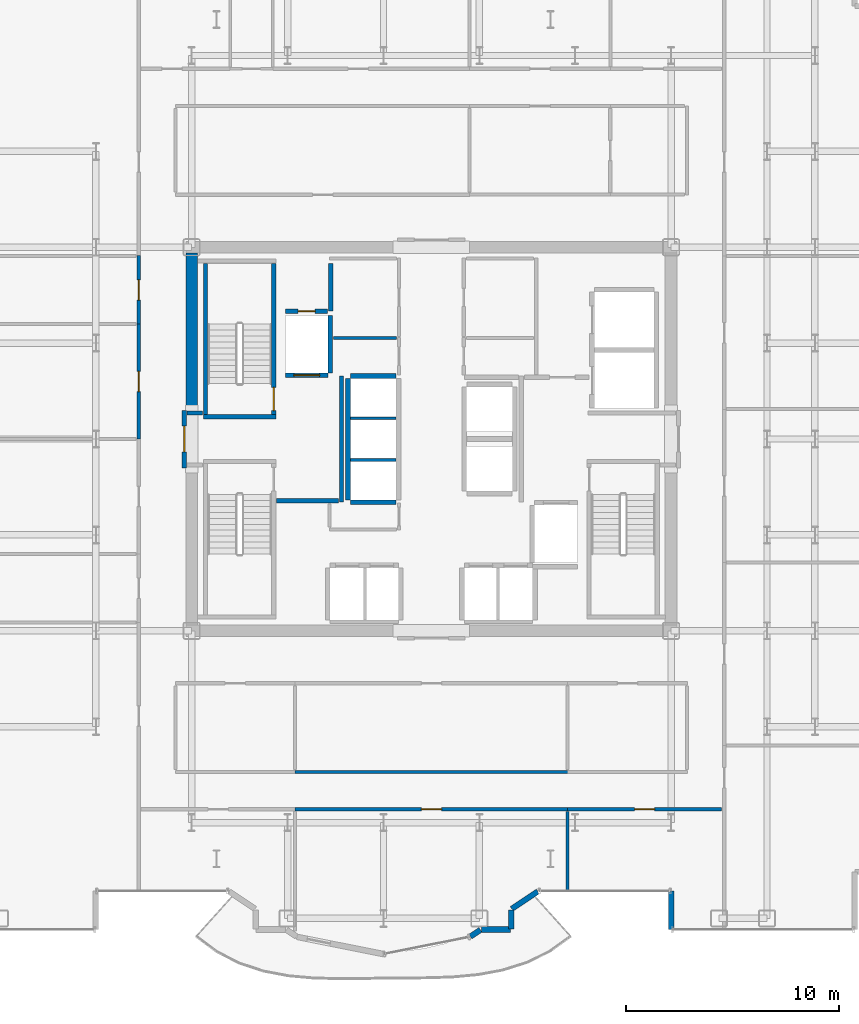
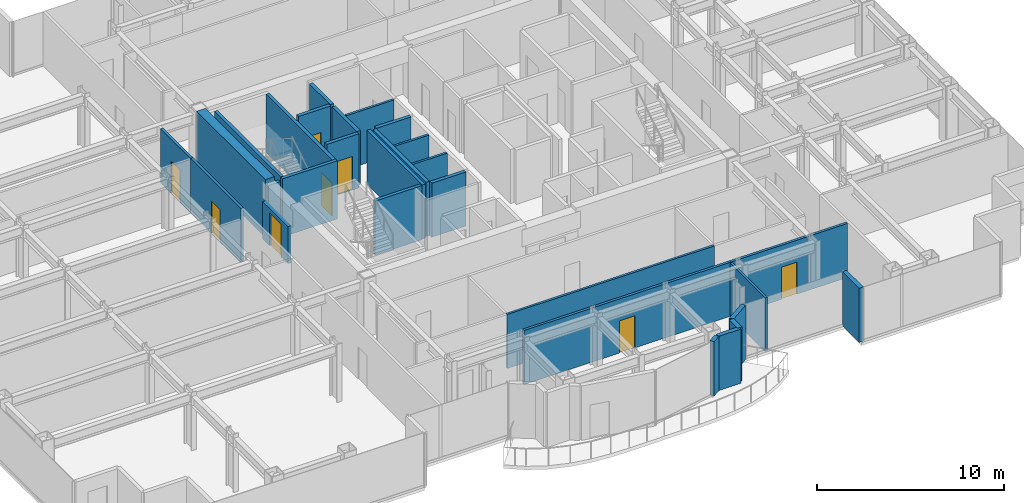
# One storey, part 16 of 22: 29 walls, 8 doors, 8 openings.
"""IFC4 building model written with IfcOpenShell, lengths in metres."""

import ifcopenshell
import ifcopenshell.guid

model = None  # the IFC model being written
_history = None  # IfcOwnerHistory: only IFC2X3 demands one
_inside = {}  # id of a spatial element -> (the spatial element, [elements in it])
_under = {}  # id of a project, library or spatial element -> (it, [spatial elements below it])
_declared = {}  # id of a project -> (the project, [libraries it declares])
_typed = {}  # id of a type object -> (the type object, [elements of that type])
_made_of = {}  # id of a material, layer set ... -> (it, [elements and type objects made of it])


def new_model(schema):
    """Start an empty IFC model of exactly this schema.

    Asked for "IFC4X3", IfcOpenShell would pick the latest addendum, in which some entities
    have other attributes; the version numbers below select the first issue.
    IFC2X3 requires an IfcOwnerHistory on every rooted entity: one is made here for all.
    """
    global model, _history
    if schema == "IFC4X3":
        model = ifcopenshell.file(schema_version=(4, 3, 0, 0))
    else:
        model = ifcopenshell.file(schema=schema)
    _inside.clear()
    _under.clear()
    _declared.clear()
    _typed.clear()
    _made_of.clear()
    _history = None
    if model.schema == "IFC2X3":
        org = make("IfcOrganization", Name="unknown")
        user = make(
            "IfcPersonAndOrganization",
            ThePerson=make("IfcPerson", FamilyName="unknown"),
            TheOrganization=org,
        )
        app = make(
            "IfcApplication",
            ApplicationDeveloper=org,
            Version="unknown",
            ApplicationFullName="unknown",
            ApplicationIdentifier="unknown",
        )
        _history = make(
            "IfcOwnerHistory",
            OwningUser=user,
            OwningApplication=app,
            ChangeAction="ADDED",
            CreationDate=0,
        )
    return model


def make(cls, **values):
    """One entity of the class cls with the attributes given. An attribute that is None is left unset."""
    return model.create_entity(
        cls, **{name: value for name, value in values.items() if value is not None}
    )


def rooted(cls, **values):
    """An entity with a GlobalId (a new one), such as an element, a storey or a relation."""
    return make(cls, GlobalId=ifcopenshell.guid.new(), OwnerHistory=_history, **values)


def si_unit(unit_type, name, prefix=None):
    """IfcSIUnit, for example si_unit("LENGTHUNIT", "METRE", prefix="MILLI")."""
    return make("IfcSIUnit", UnitType=unit_type, Prefix=prefix, Name=name)


def assignment(units):
    """IfcUnitAssignment: the units of a project."""
    return None if units is None else make("IfcUnitAssignment", Units=units)


def point(xyz):
    """IfcCartesianPoint."""
    return None if xyz is None else make("IfcCartesianPoint", Coordinates=xyz)


def direction(xyz):
    """IfcDirection."""
    return None if xyz is None else make("IfcDirection", DirectionRatios=xyz)


def frame(location, z_axis=None, x_axis=None):
    """IfcAxis2Placement3D, a coordinate frame: its origin and axes. An axis left out is left unset."""
    return make(
        "IfcAxis2Placement3D",
        Location=point(location),
        Axis=direction(z_axis),
        RefDirection=direction(x_axis),
    )


def frame_2d(location, x_axis=None):
    """IfcAxis2Placement2D, a coordinate frame in the plane: its origin and x axis."""
    return make(
        "IfcAxis2Placement2D", Location=point(location), RefDirection=direction(x_axis)
    )


def origin():
    """The frame at (0, 0, 0) with its axes left unset."""
    return frame((0.0, 0.0, 0.0))


def place(relative_to, where):
    """IfcLocalPlacement: puts the frame where relative to a parent placement (None: the world)."""
    return make(
        "IfcLocalPlacement", PlacementRelTo=relative_to, RelativePlacement=where
    )


def context(
    kind, dimensions, precision=None, world=None, true_north=None, identifier=None
):
    """IfcGeometricRepresentationContext, for example the 3D "Model" context."""
    return make(
        "IfcGeometricRepresentationContext",
        ContextIdentifier=identifier,
        ContextType=kind,
        CoordinateSpaceDimension=dimensions,
        Precision=precision,
        WorldCoordinateSystem=world,
        TrueNorth=true_north,
    )


def subcontext(parent, identifier, kind, view, scale=None):
    """IfcGeometricRepresentationSubContext, for example "Body" below "Model"."""
    return make(
        "IfcGeometricRepresentationSubContext",
        ContextIdentifier=identifier,
        ContextType=kind,
        ParentContext=parent,
        TargetScale=scale,
        TargetView=view,
    )


def project(units=None, contexts=None):
    """IfcProject with its units and contexts."""
    return rooted(
        "IfcProject",
        Name="project",
        RepresentationContexts=contexts,
        UnitsInContext=assignment(units),
    )


def spatial(cls, under=None, at=None, **own):
    """A site, building, storey or space (cls), placed at a placement, below another one or the project."""
    s = rooted(cls, ObjectPlacement=at, **own)
    if under is not None:
        _under.setdefault(under.id(), (under, []))[1].append(s)
    return s


def profile(cls, at=None, kind="AREA", **sizes):
    """A parametric profile (cls). Its sizes go by their IFC names, for example OverallWidth=200.0."""
    return make(cls, ProfileType=kind, Position=at, **sizes)


def rectangle(**sizes):
    """IfcRectangleProfileDef."""
    return profile("IfcRectangleProfileDef", **sizes)


def extrude(swept, where, along, depth):
    """IfcExtrudedAreaSolid: the profile swept, set in the frame where, extruded along a direction by depth."""
    return make(
        "IfcExtrudedAreaSolid",
        SweptArea=swept,
        Position=where,
        ExtrudedDirection=direction(along),
        Depth=depth,
    )


def shape(context_of_items, identifier, shape_type, items):
    """IfcShapeRepresentation: the items that make up one representation, for example the "Body"."""
    return make(
        "IfcShapeRepresentation",
        ContextOfItems=context_of_items,
        RepresentationIdentifier=identifier,
        RepresentationType=shape_type,
        Items=items,
    )


def source(mapping_origin, context_of_items, identifier, shape_type, items):
    """IfcRepresentationMap: a shape defined once, which mapped items show again and again."""
    return make(
        "IfcRepresentationMap",
        MappingOrigin=mapping_origin,
        MappedRepresentation=shape(context_of_items, identifier, shape_type, items),
    )


def transform(
    local_origin,
    x_axis=None,
    y_axis=None,
    z_axis=None,
    scale=None,
    scale2=None,
    scale3=None,
    uniform=True,
):
    """IfcCartesianTransformationOperator3D, or its non-uniform kind. x_axis, y_axis, z_axis: its Axis1, 2, 3."""
    if uniform:
        return make(
            "IfcCartesianTransformationOperator3D",
            Axis1=direction(x_axis),
            Axis2=direction(y_axis),
            LocalOrigin=point(local_origin),
            Scale=scale,
            Axis3=direction(z_axis),
        )
    return make(
        "IfcCartesianTransformationOperator3DnonUniform",
        Axis1=direction(x_axis),
        Axis2=direction(y_axis),
        LocalOrigin=point(local_origin),
        Scale=scale,
        Axis3=direction(z_axis),
        Scale2=scale2,
        Scale3=scale3,
    )


def mapped(mapping_source, mapping_target):
    """IfcMappedItem: shows the shape of a source again, moved by a transform."""
    return make(
        "IfcMappedItem", MappingSource=mapping_source, MappingTarget=mapping_target
    )


def material(Name=None, Category=None):
    """IfcMaterial."""
    return make("IfcMaterial", Name=Name, Category=Category)


def layer(
    of_material, thickness, ventilated=None, Name=None, Category=None, Priority=None
):
    """IfcMaterialLayer: one layer of a wall or slab, of a material (None: an air gap)."""
    return make(
        "IfcMaterialLayer",
        Material=of_material,
        LayerThickness=thickness,
        IsVentilated=ventilated,
        Name=Name,
        Category=Category,
        Priority=Priority,
    )


def layer_set(layers, Name=None):
    """IfcMaterialLayerSet."""
    return make("IfcMaterialLayerSet", MaterialLayers=layers, LayerSetName=Name)


def made_of(thing, what):
    """Note that an element or type object is made of a material, layer set ...; save() writes the relation."""
    if what is not None:
        _made_of.setdefault(what.id(), (what, []))[1].append(thing)
    return thing


def type_object(cls, material=None, **own):
    """A type object (cls), such as IfcWallType, which elements share."""
    return made_of(rooted(cls, **own), material)


def element(
    cls,
    number,
    at=None,
    inside=None,
    cuts=None,
    type_object=None,
    material=None,
    context=None,
    identifier="Body",
    shape_type=None,
    held_by="IfcProductDefinitionShape",
    body=None,
    shapes=None,
    **own,
):
    """One element of the class cls, such as IfcWall. Its Tag is "e" and its number.

    at: its placement. inside: the storey or other place that contains it. cuts: it is an
    opening in that element (IfcRelVoidsElement). A single representation is given by context,
    identifier, shape_type and body (its items); several are given by shapes. held_by: the class
    of the entity that holds the representations. save() writes the other relations.
    """
    e = rooted(cls, Tag="e%d" % number, ObjectPlacement=at, **own)
    if body is not None:
        shapes = [shape(context, identifier, shape_type, body)]
    if shapes is not None:
        e.Representation = make(held_by, Representations=shapes)
    if inside is not None:
        _inside.setdefault(inside.id(), (inside, []))[1].append(e)
    if cuts is not None:
        rooted(
            "IfcRelVoidsElement", RelatingBuildingElement=cuts, RelatedOpeningElement=e
        )
    if type_object is not None:
        _typed.setdefault(type_object.id(), (type_object, []))[1].append(e)
    return made_of(e, material)


def fill(opening, filler):
    """IfcRelFillsElement: the door or window that sits in an opening."""
    return rooted(
        "IfcRelFillsElement",
        RelatingOpeningElement=opening,
        RelatedBuildingElement=filler,
    )


def aggregate(whole, parts):
    """IfcRelAggregates: a whole, such as a stair, and the parts it consists of."""
    return rooted("IfcRelAggregates", RelatingObject=whole, RelatedObjects=parts)


def save(model, path):
    """Write the relations noted so far, then the file.

    IfcRelAggregates (storeys below a building ...), IfcRelContainedInSpatialStructure (elements
    in a storey), IfcRelDefinesByType, IfcRelAssociatesMaterial and IfcRelDeclares: one each for
    every whole, place, type object, material and project.
    """
    for whole, parts in _under.values():
        aggregate(whole, parts)
    for where, things in _inside.values():
        rooted(
            "IfcRelContainedInSpatialStructure",
            RelatedElements=things,
            RelatingStructure=where,
        )
    for kind, things in _typed.values():
        rooted("IfcRelDefinesByType", RelatedObjects=things, RelatingType=kind)
    for what, things in _made_of.values():
        rooted("IfcRelAssociatesMaterial", RelatedObjects=things, RelatingMaterial=what)
    for by, libraries in _declared.values():
        rooted("IfcRelDeclares", RelatingContext=by, RelatedDefinitions=libraries)
    model.write(path)


model = new_model("IFC4")

# Units and contexts
model_context = context("Model", 3, precision=1e-05, world=origin(), true_north=direction((0.0, 1.0)))
body_context = subcontext(model_context, "Body", "Model", "MODEL_VIEW")
ifc_project = project(units=[si_unit("LENGTHUNIT", "METRE"), si_unit("AREAUNIT", "SQUARE_METRE"), si_unit("VOLUMEUNIT", "CUBIC_METRE"), si_unit("PLANEANGLEUNIT", "RADIAN"), si_unit("MASSUNIT", "GRAM", prefix="KILO")], contexts=[model_context])

# Site, building, storey
site_placement = place(None, origin())
site = spatial("IfcSite", under=ifc_project, at=site_placement, CompositionType="ELEMENT")
building_placement = place(site_placement, origin())
building = spatial("IfcBuilding", under=site, at=building_placement, Name="Nefas-Gora Pilgrimage Tower", CompositionType="ELEMENT")
storey_placement = place(building_placement, frame((0.0, 0.0, 186.800048828125)))
storey = spatial("IfcBuildingStorey", under=building, at=storey_placement, Name="L46", CompositionType="ELEMENT", Elevation=186.800048828125)

# Walls
ifc_material_1 = material(Name="Concrete C60/75", Category="concrete")
ifc_layer_1 = layer(ifc_material_1, 0.550048828125)
ifc_layer_set_1 = layer_set([ifc_layer_1], Name="Concrete C60/75")
wall_type_1 = type_object("IfcWallType", Name="SW-CORE-550", PredefinedType="SHEAR", material=ifc_layer_set_1)
shared_shape_1 = source(origin(), body_context, "Body", "SweptSolid", [
    extrude(rectangle(XDim=7.375, YDim=0.550048828125, at=frame_2d((3.6875, 0.0))), origin(), (0.0, 0.0, 1.0), 3.800048828125),
])
wall_1_placement = place(storey_placement, frame((-11.25, 1.35009765625, 0.0), z_axis=(0.0, 0.0, 1.0), x_axis=(0.0, 1.0, 0.0)))
element("IfcWall", 1, at=wall_1_placement, inside=storey, type_object=wall_type_1, Name="L46 Core Shear Wall W-North", PredefinedType="SHEAR", context=body_context, shape_type="MappedRepresentation", body=[
    mapped(shared_shape_1, transform((0.0, 0.0, 0.0), x_axis=(1.0, 0.0, 0.0), y_axis=(0.0, 1.0, 0.0), z_axis=(0.0, 0.0, 1.0), scale=1.0)),
])
ifc_material_2 = material(Name="Precast concrete C40/50", Category="concrete")
ifc_layer_2 = layer(ifc_material_2, 0.260009765625)
ifc_layer_set_2 = layer_set([ifc_layer_2], Name="Precast concrete C40/50")
wall_type_2 = type_object("IfcWallType", Name="EW-PORTAL-260", PredefinedType="SOLIDWALL", material=ifc_layer_set_2)
shared_shape_2 = source(origin(), body_context, "Body", "SweptSolid", [
    extrude(rectangle(XDim=1.800048828125, YDim=0.260009765625, at=frame_2d((0.89990234375, 0.0))), origin(), (0.0, 0.0, 1.0), 3.550048828125),
])
wall_2_placement = place(storey_placement, frame((11.25, -21.219970703125, 0.0), z_axis=(0.0, 0.0, 1.0), x_axis=(0.0, -1.0, 0.0)))
element("IfcWall", 2, at=wall_2_placement, inside=storey, type_object=wall_type_2, Name="L46 Lobe Shoulder Precast Spandrel Pier 1", PredefinedType="SOLIDWALL", context=body_context, shape_type="MappedRepresentation", body=[
    mapped(shared_shape_2, transform((0.0, 0.0, 0.0), x_axis=(1.0, 0.0, 0.0), y_axis=(0.0, 1.0, 0.0), z_axis=(0.0, 0.0, 1.0), scale=1.0)),
])
shared_shape_3 = source(origin(), body_context, "Body", "SweptSolid", [
    extrude(rectangle(XDim=1.468994140625, YDim=0.260009765625, at=frame_2d((0.734375, 0.0))), origin(), (0.0, 0.0, 1.0), 3.550048828125),
])
wall_3_placement = place(storey_placement, frame((3.773193359375, -22.0517578125, 0.0), z_axis=(0.0, 0.0, 1.0), x_axis=(0.831461760506, 0.555581983884, 0.0)))
element("IfcWall", 3, at=wall_3_placement, inside=storey, type_object=wall_type_2, Name="L46 Lobe Shoulder Precast Spandrel Pier 38", PredefinedType="SOLIDWALL", context=body_context, shape_type="MappedRepresentation", body=[
    mapped(shared_shape_3, transform((0.0, 0.0, 0.0), x_axis=(1.0, 0.0, 0.0), y_axis=(0.0, 1.0, 0.0), z_axis=(0.0, 0.0, 1.0), scale=1.0)),
])
shared_shape_4 = source(origin(), body_context, "Body", "SweptSolid", [
    extrude(rectangle(XDim=0.896728515625, YDim=0.260009765625, at=frame_2d((0.4482421875, 0.0))), origin(), (0.0, 0.0, 1.0), 3.550048828125),
])
wall_4_placement = place(storey_placement, frame((3.75, -22.991943359375, 0.0), z_axis=(0.0, 0.0, 1.0), x_axis=(0.0, 1.0, 0.0)))
element("IfcWall", 4, at=wall_4_placement, inside=storey, type_object=wall_type_2, Name="L46 Lobe Shoulder Precast Spandrel Pier 37", PredefinedType="SOLIDWALL", context=body_context, shape_type="MappedRepresentation", body=[
    mapped(shared_shape_4, transform((0.0, 0.0, 0.0), x_axis=(1.0, 0.0, 0.0), y_axis=(0.0, 1.0, 0.0), z_axis=(0.0, 0.0, 1.0), scale=1.0)),
])
shared_shape_5 = source(origin(), body_context, "Body", "SweptSolid", [
    extrude(rectangle(XDim=1.369873046875, YDim=0.260009765625, at=frame_2d((0.68505859375, 0.0))), origin(), (0.0, 0.0, 1.0), 3.550048828125),
])
wall_5_placement = place(storey_placement, frame((2.35205078125, -23.02001953125, 0.0), z_axis=(0.0, 0.0, 1.0), x_axis=(1.0, 0.0, 0.0)))
element("IfcWall", 5, at=wall_5_placement, inside=storey, type_object=wall_type_2, Name="L46 Lobe Shoulder Precast Spandrel Pier 36", PredefinedType="SOLIDWALL", context=body_context, shape_type="MappedRepresentation", body=[
    mapped(shared_shape_5, transform((0.0, 0.0, 0.0), x_axis=(1.0, 0.0, 0.0), y_axis=(0.0, 1.0, 0.0), z_axis=(0.0, 0.0, 1.0), scale=1.0)),
])
shared_shape_6 = source(origin(), body_context, "Body", "SweptSolid", [
    extrude(rectangle(XDim=0.5654296875, YDim=0.260009765625, at=frame_2d((0.28271484375, 0.0))), origin(), (0.0, 0.0, 1.0), 3.550048828125),
])
wall_6_placement = place(storey_placement, frame((1.83056640625, -23.349609375, 0.0), z_axis=(0.0, 0.0, 1.0), x_axis=(0.831651492666, 0.555297933317, 0.0)))
element("IfcWall", 6, at=wall_6_placement, inside=storey, type_object=wall_type_2, Name="L46 Lobe Shoulder Precast Spandrel Pier 35", PredefinedType="SOLIDWALL", context=body_context, shape_type="MappedRepresentation", body=[
    mapped(shared_shape_6, transform((0.0, 0.0, 0.0), x_axis=(1.0, 0.0, 0.0), y_axis=(0.0, 1.0, 0.0), z_axis=(0.0, 0.0, 1.0), scale=1.0)),
])
ifc_material_3 = material(Name="Concrete C45/55", Category="concrete")
ifc_layer_3 = layer(ifc_material_3, 0.199951171875)
ifc_layer_set_3 = layer_set([ifc_layer_3], Name="Concrete C45/55")
wall_type_3 = type_object("IfcWallType", Name="IW-STAIR-200", PredefinedType="SOLIDWALL", material=ifc_layer_set_3)
shared_shape_7 = source(origin(), body_context, "Body", "SweptSolid", [
    extrude(rectangle(XDim=3.39990234375, YDim=0.199951171875, at=frame_2d((1.699951171875, 0.0))), origin(), (0.0, 0.0, 1.0), 3.800048828125),
])
wall_7_placement = place(storey_placement, frame((-7.300048828125, 1.050048828125, 0.0), z_axis=(0.0, 0.0, 1.0), x_axis=(-1.0, 0.0, 0.0)))
element("IfcWall", 7, at=wall_7_placement, inside=storey, type_object=wall_type_3, Name="L46 Stairwell Shear Wall ST-01-near", PredefinedType="SOLIDWALL", context=body_context, shape_type="MappedRepresentation", body=[
    mapped(shared_shape_7, transform((0.0, 0.0, 0.0), x_axis=(1.0, 0.0, 0.0), y_axis=(0.0, 1.0, 0.0), z_axis=(0.0, 0.0, 1.0), scale=1.0)),
])

# Wall, opening, door
shared_shape_8 = source(origin(), body_context, "Body", "SweptSolid", [
    extrude(rectangle(XDim=7.10009765625, YDim=0.199951171875, at=frame_2d((3.550048828125, 0.0))), origin(), (0.0, 0.0, 1.0), 3.800048828125),
])
wall_8_placement = place(storey_placement, frame((-7.39990234375, 1.14990234375, 0.0), z_axis=(0.0, 0.0, 1.0), x_axis=(0.0, 1.0, 0.0)))
wall_8 = element("IfcWall", 8, at=wall_8_placement, inside=storey, type_object=wall_type_3, Name="L46 Stairwell Shear Wall ST-01-left", PredefinedType="SOLIDWALL", context=body_context, shape_type="MappedRepresentation", body=[
    mapped(shared_shape_8, transform((0.0, 0.0, 0.0), x_axis=(1.0, 0.0, 0.0), y_axis=(0.0, 1.0, 0.0), z_axis=(0.0, 0.0, 1.0), scale=1.0)),
])
opening_1_placement = place(wall_8_placement, frame((0.179931640625, 0.0, 0.0)))
opening_1 = element("IfcOpeningElement", 9, at=opening_1_placement, cuts=wall_8, Name="Opening ID-ST1", PredefinedType="OPENING", context=body_context, shape_type="SweptSolid", body=[
    extrude(rectangle(XDim=1.10009765625, YDim=2.14990234375, at=frame_2d((0.550048828125, 1.074951171875))), frame((0.0, 0.10986328125, 0.0), z_axis=(0.0, -1.0, 0.0), x_axis=(1.0, 0.0, 0.0)), (0.0, 0.0, 1.0), 0.219970703125),
])
ifc_material_4 = material(Name="Painted galvanised steel fire stair door", Category="steel")
door_type_1 = type_object("IfcDoorType", Name="DR-INT-STAIR-1100", OperationType="NOTDEFINED", PredefinedType="DOOR", material=ifc_material_4)
shared_shape_9 = source(origin(), body_context, "Body", "SweptSolid", [
    extrude(rectangle(XDim=1.10009765625, YDim=2.14990234375, at=frame_2d((0.550048828125, 1.074951171875))), frame((0.0, 0.02490234375, 0.0), z_axis=(0.0, -1.0, 0.0), x_axis=(1.0, 0.0, 0.0)), (0.0, 0.0, 1.0), 0.050048828125),
])
door_1_placement = place(opening_1_placement, origin())
door_1 = element("IfcDoor", 10, at=door_1_placement, inside=storey, type_object=door_type_1, Name="L46 Protected Exit Stair Door ST-01", OperationType="SINGLE_SWING_RIGHT", OverallHeight=2.14990234375, OverallWidth=1.10009765625, PredefinedType="DOOR", context=body_context, shape_type="MappedRepresentation", body=[
    mapped(shared_shape_9, transform((0.0, 0.0, 0.0), x_axis=(1.0, 0.0, 0.0), y_axis=(0.0, 1.0, 0.0), z_axis=(0.0, 0.0, 1.0), scale=1.0)),
])
fill(opening_1, door_1)

# Wall
wall_9_placement = place(storey_placement, frame((-10.60009765625, 1.14990234375, 0.0), z_axis=(0.0, 0.0, 1.0), x_axis=(0.0, 1.0, 0.0)))
element("IfcWall", 11, at=wall_9_placement, inside=storey, type_object=wall_type_3, Name="L46 Stairwell Shear Wall ST-01-right", PredefinedType="SOLIDWALL", context=body_context, shape_type="MappedRepresentation", body=[
    mapped(shared_shape_8, transform((0.0, 0.0, 0.0), x_axis=(1.0, 0.0, 0.0), y_axis=(0.0, 1.0, 0.0), z_axis=(0.0, 0.0, 1.0), scale=1.0)),
])

# Wall, opening, door
ifc_material_5 = material(Name="Concrete C40/50", Category="concrete")
ifc_layer_4 = layer(ifc_material_5, 0.219970703125)
ifc_layer_set_4 = layer_set([ifc_layer_4], Name="Concrete C40/50")
wall_type_4 = type_object("IfcWallType", Name="IW-SHAFT-220", PredefinedType="SOLIDWALL", material=ifc_layer_set_4)
shared_shape_10 = source(origin(), body_context, "Body", "SweptSolid", [
    extrude(rectangle(XDim=2.0, YDim=0.219970703125, at=frame_2d((1.0, 0.0))), origin(), (0.0, 0.0, 1.0), 3.534912109375),
])
wall_10_placement = place(storey_placement, frame((-6.85009765625, 2.989990234375, 0.0), z_axis=(0.0, 0.0, 1.0), x_axis=(1.0, 0.0, 0.0)))
wall_10 = element("IfcWall", 12, at=wall_10_placement, inside=storey, type_object=wall_type_4, Name="L46 Hoistway Wall FFL-01-S", PredefinedType="SOLIDWALL", context=body_context, shape_type="MappedRepresentation", body=[
    mapped(shared_shape_10, transform((0.0, 0.0, 0.0), x_axis=(1.0, 0.0, 0.0), y_axis=(0.0, 1.0, 0.0), z_axis=(0.0, 0.0, 1.0), scale=1.0)),
])
opening_2_placement = place(wall_10_placement, frame((0.39990234375, 0.0, 0.0)))
opening_2 = element("IfcOpeningElement", 13, at=opening_2_placement, cuts=wall_10, Name="Opening LD-FF", PredefinedType="OPENING", context=body_context, shape_type="SweptSolid", body=[
    extrude(rectangle(XDim=1.199951171875, YDim=2.199951171875, at=frame_2d((0.60009765625, 1.10009765625))), frame((0.0, 0.119873046875, 0.0), z_axis=(0.0, -1.0, 0.0), x_axis=(1.0, 0.0, 0.0)), (0.0, 0.0, 1.0), 0.239990234375),
])
ifc_material_6 = material(Name="Fire-service sliding lift landing door")
door_type_2 = type_object("IfcDoorType", Name="DR-LIFT-FSAE-1200", OperationType="SLIDING_TO_LEFT", PredefinedType="DOOR", material=ifc_material_6)
shared_shape_11 = source(origin(), body_context, "Body", "SweptSolid", [
    extrude(rectangle(XDim=1.199951171875, YDim=2.199951171875, at=frame_2d((0.60009765625, 1.10009765625))), frame((0.0, 0.02490234375, 0.0), z_axis=(0.0, -1.0, 0.0), x_axis=(1.0, 0.0, 0.0)), (0.0, 0.0, 1.0), 0.050048828125),
])
door_2_placement = place(opening_2_placement, origin())
door_2 = element("IfcDoor", 14, at=door_2_placement, inside=storey, type_object=door_type_2, Name="L46 Sliding Lift Landing Door FFL-01", OperationType="SLIDING_TO_LEFT", OverallHeight=2.199951171875, OverallWidth=1.199951171875, PredefinedType="DOOR", context=body_context, shape_type="MappedRepresentation", body=[
    mapped(shared_shape_11, transform((0.0, 0.0, 0.0), x_axis=(1.0, 0.0, 0.0), y_axis=(0.0, 1.0, 0.0), z_axis=(0.0, 0.0, 1.0), scale=1.0)),
])
fill(opening_2, door_2)

# Walls
shared_shape_12 = source(origin(), body_context, "Body", "SweptSolid", [
    extrude(rectangle(XDim=2.679931640625, YDim=0.219970703125, at=frame_2d((1.33984375, 0.0))), origin(), (0.0, 0.0, 1.0), 3.534912109375),
])
wall_11_placement = place(storey_placement, frame((-4.739990234375, 3.110107421875, 0.0), z_axis=(0.0, 0.0, 1.0), x_axis=(0.0, 1.0, 0.0)))
element("IfcWall", 15, at=wall_11_placement, inside=storey, type_object=wall_type_4, Name="L46 Hoistway Wall FFL-01-E", PredefinedType="SOLIDWALL", context=body_context, shape_type="MappedRepresentation", body=[
    mapped(shared_shape_12, transform((0.0, 0.0, 0.0), x_axis=(1.0, 0.0, 0.0), y_axis=(0.0, 1.0, 0.0), z_axis=(0.0, 0.0, 1.0), scale=1.0)),
])
shared_shape_13 = source(origin(), body_context, "Body", "SweptSolid", [
    extrude(rectangle(XDim=5.7001953125, YDim=0.219970703125, at=frame_2d((2.85009765625, 0.0))), origin(), (0.0, 0.0, 1.0), 3.534912109375),
])
wall_12_placement = place(storey_placement, frame((-3.909912109375, 2.85009765625, 0.0), z_axis=(0.0, 0.0, 1.0), x_axis=(0.0, -1.0, 0.0)))
element("IfcWall", 16, at=wall_12_placement, inside=storey, type_object=wall_type_4, Name="L46 Hoistway Wall PL3-01-03-W", PredefinedType="SOLIDWALL", context=body_context, shape_type="MappedRepresentation", body=[
    mapped(shared_shape_13, transform((0.0, 0.0, 0.0), x_axis=(1.0, 0.0, 0.0), y_axis=(0.0, 1.0, 0.0), z_axis=(0.0, 0.0, 1.0), scale=1.0)),
])
shared_shape_14 = source(origin(), body_context, "Body", "SweptSolid", [
    extrude(rectangle(XDim=2.130126953125, YDim=0.219970703125, at=frame_2d((1.06494140625, 0.0))), origin(), (0.0, 0.0, 1.0), 3.534912109375),
])
for number, where, z_axis, x_axis, name in (
    (17, (-3.7900390625, -2.9599609375, 0.0), (0.0, 0.0, 1.0), (1.0, 0.0, 0.0), "L46 Hoistway Wall PL3-01-S"),
    (18, (-1.659912109375, 2.9599609375, 0.0), (0.0, 0.0, 1.0), (-1.0, 0.0, 0.0), "L46 Hoistway Wall PL3-03-N"),
):
    element("IfcWall", number, at=place(storey_placement, frame(where, z_axis=z_axis, x_axis=x_axis)), inside=storey, type_object=wall_type_4, Name=name, PredefinedType="SOLIDWALL", context=body_context, shape_type="MappedRepresentation", body=[
        mapped(shared_shape_14, transform((0.0, 0.0, 0.0), x_axis=(1.0, 0.0, 0.0), y_axis=(0.0, 1.0, 0.0), z_axis=(0.0, 0.0, 1.0), scale=1.0)),
    ])
ifc_material_7 = material(Name="Gypsum twin-stud partition")
ifc_layer_5 = layer(ifc_material_7, 0.139892578125)
ifc_layer_set_5 = layer_set([ifc_layer_5], Name="Gypsum twin-stud partition")
wall_type_5 = type_object("IfcWallType", Name="IW-UNIT-140", PredefinedType="PARTITIONING", material=ifc_layer_set_5)
shared_shape_15 = source(origin(), body_context, "Body", "SweptSolid", [
    extrude(rectangle(XDim=2.130126953125, YDim=0.139892578125, at=frame_2d((1.06494140625, 0.0))), origin(), (0.0, 0.0, 1.0), 3.534912109375),
])
for number, where, z_axis, x_axis, name in (
    (19, (-3.7900390625, -0.97509765625, 0.0), (0.0, 0.0, 1.0), (1.0, 0.0, 0.0), "L46 Hoistway Wall PL3-01-02-DIV"),
    (20, (-3.7900390625, 0.97509765625, 0.0), (0.0, 0.0, 1.0), (1.0, 0.0, 0.0), "L46 Hoistway Wall PL3-02-03-DIV"),
):
    element("IfcWall", number, at=place(storey_placement, frame(where, z_axis=z_axis, x_axis=x_axis)), inside=storey, type_object=wall_type_5, Name=name, PredefinedType="PARTITIONING", context=body_context, shape_type="MappedRepresentation", body=[
        mapped(shared_shape_15, transform((0.0, 0.0, 0.0), x_axis=(1.0, 0.0, 0.0), y_axis=(0.0, 1.0, 0.0), z_axis=(0.0, 0.0, 1.0), scale=1.0)),
    ])

# Wall, opening, door
ifc_material_8 = material(Name="Gypsum fire-rated shaftwall")
ifc_layer_6 = layer(ifc_material_8, 0.199951171875)
ifc_layer_set_6 = layer_set([ifc_layer_6], Name="Gypsum fire-rated shaftwall")
wall_type_6 = type_object("IfcWallType", Name="IW-FFLOB-200", PredefinedType="PARTITIONING", material=ifc_layer_set_6)
shared_shape_16 = source(origin(), body_context, "Body", "SweptSolid", [
    extrude(rectangle(XDim=2.7001953125, YDim=0.199951171875, at=frame_2d((1.35009765625, 0.0))), origin(), (0.0, 0.0, 1.0), 2.425048828125),
])
wall_13_placement = place(storey_placement, frame((-11.60009765625, -1.35009765625, 0.0), z_axis=(0.0, 0.0, 1.0), x_axis=(0.0, 1.0, 0.0)))
wall_13 = element("IfcWall", 21, at=wall_13_placement, inside=storey, type_object=wall_type_6, Name="L46 FF Lobby West Portal Wall 4", PredefinedType="PARTITIONING", context=body_context, shape_type="MappedRepresentation", body=[
    mapped(shared_shape_16, transform((0.0, 0.0, 0.0), x_axis=(1.0, 0.0, 0.0), y_axis=(0.0, 1.0, 0.0), z_axis=(0.0, 0.0, 1.0), scale=1.0)),
])
opening_3_placement = place(wall_13_placement, frame((0.75, 0.0, 0.0)))
opening_3 = element("IfcOpeningElement", 22, at=opening_3_placement, cuts=wall_13, Name="Opening ID-FF1", PredefinedType="OPENING", context=body_context, shape_type="SweptSolid", body=[
    extrude(rectangle(XDim=1.199951171875, YDim=2.14990234375, at=frame_2d((0.60009765625, 1.074951171875))), frame((0.0, 0.10986328125, 0.0), z_axis=(0.0, -1.0, 0.0), x_axis=(1.0, 0.0, 0.0)), (0.0, 0.0, 1.0), 0.219970703125),
])
ifc_material_9 = material(Name="Smoke-sealed steel firefighting lobby door", Category="steel")
door_type_3 = type_object("IfcDoorType", Name="DR-INT-FFLOB-1200", OperationType="NOTDEFINED", PredefinedType="DOOR", material=ifc_material_9)
shared_shape_17 = source(origin(), body_context, "Body", "SweptSolid", [
    extrude(rectangle(XDim=1.199951171875, YDim=2.14990234375, at=frame_2d((0.60009765625, 1.074951171875))), frame((0.0, 0.02490234375, 0.0), z_axis=(0.0, -1.0, 0.0), x_axis=(1.0, 0.0, 0.0)), (0.0, 0.0, 1.0), 0.050048828125),
])
door_3_placement = place(opening_3_placement, origin())
door_3 = element("IfcDoor", 23, at=door_3_placement, inside=storey, type_object=door_type_3, Name="L46 FF Lobby West Portal Door 2", OperationType="SINGLE_SWING_LEFT", OverallHeight=2.14990234375, OverallWidth=1.199951171875, PredefinedType="DOOR", context=body_context, shape_type="MappedRepresentation", body=[
    mapped(shared_shape_17, transform((0.0, 0.0, 0.0), x_axis=(1.0, 0.0, 0.0), y_axis=(0.0, 1.0, 0.0), z_axis=(0.0, 0.0, 1.0), scale=1.0)),
])
fill(opening_3, door_3)

# Walls
shared_shape_18 = source(origin(), body_context, "Body", "SweptSolid", [
    extrude(rectangle(XDim=5.89990234375, YDim=0.199951171875, at=frame_2d((2.949951171875, 0.0))), origin(), (0.0, 0.0, 1.0), 3.534912109375),
])
wall_14_placement = place(storey_placement, frame((-4.219970703125, -2.949951171875, 0.0), z_axis=(0.0, 0.0, 1.0), x_axis=(0.0, 1.0, 0.0)))
element("IfcWall", 24, at=wall_14_placement, inside=storey, type_object=wall_type_6, Name="L46 FF Lobby West Inner Wall Wall 5", PredefinedType="PARTITIONING", context=body_context, shape_type="MappedRepresentation", body=[
    mapped(shared_shape_18, transform((0.0, 0.0, 0.0), x_axis=(1.0, 0.0, 0.0), y_axis=(0.0, 1.0, 0.0), z_axis=(0.0, 0.0, 1.0), scale=1.0)),
])
shared_shape_19 = source(origin(), body_context, "Body", "SweptSolid", [
    extrude(rectangle(XDim=2.89990234375, YDim=0.199951171875, at=frame_2d((1.449951171875, 0.0))), origin(), (0.0, 0.0, 1.0), 3.534912109375),
])
wall_15_placement = place(storey_placement, frame((-7.260009765625, -2.89990234375, 0.0), z_axis=(0.0, 0.0, 1.0), x_axis=(1.0, 0.0, 0.0)))
element("IfcWall", 25, at=wall_15_placement, inside=storey, type_object=wall_type_6, Name="L46 FF Lobby West South Wall Wall 6", PredefinedType="PARTITIONING", context=body_context, shape_type="MappedRepresentation", body=[
    mapped(shared_shape_19, transform((0.0, 0.0, 0.0), x_axis=(1.0, 0.0, 0.0), y_axis=(0.0, 1.0, 0.0), z_axis=(0.0, 0.0, 1.0), scale=1.0)),
])
shared_shape_20 = source(origin(), body_context, "Body", "SweptSolid", [
    extrude(rectangle(XDim=0.719970703125, YDim=0.199951171875, at=frame_2d((0.35986328125, 0.0))), origin(), (0.0, 0.0, 1.0), 3.534912109375),
])
wall_16_placement = place(storey_placement, frame((-11.4599609375, 1.219970703125, 0.0), z_axis=(0.0, 0.0, 1.0), x_axis=(1.0, 0.0, 0.0)))
element("IfcWall", 26, at=wall_16_placement, inside=storey, type_object=wall_type_6, Name="L46 FF Lobby West Throat N Wall 7", PredefinedType="PARTITIONING", context=body_context, shape_type="MappedRepresentation", body=[
    mapped(shared_shape_20, transform((0.0, 0.0, 0.0), x_axis=(1.0, 0.0, 0.0), y_axis=(0.0, 1.0, 0.0), z_axis=(0.0, 0.0, 1.0), scale=1.0)),
])
shared_shape_21 = source(origin(), body_context, "Body", "SweptSolid", [
    extrude(rectangle(XDim=2.9501953125, YDim=0.139892578125, at=frame_2d((1.47509765625, 0.0))), origin(), (0.0, 0.0, 1.0), 3.534912109375),
])
wall_17_placement = place(storey_placement, frame((-4.590087890625, 4.75, 0.0), z_axis=(0.0, 0.0, 1.0), x_axis=(1.0, 0.0, 0.0)))
element("IfcWall", 27, at=wall_17_placement, inside=storey, type_object=wall_type_5, Name="L46 Housekeeping and Linen Store Partition Wall 19", PredefinedType="PARTITIONING", context=body_context, shape_type="MappedRepresentation", body=[
    mapped(shared_shape_21, transform((0.0, 0.0, 0.0), x_axis=(1.0, 0.0, 0.0), y_axis=(0.0, 1.0, 0.0), z_axis=(0.0, 0.0, 1.0), scale=1.0)),
])

# Wall, opening, door
ifc_material_10 = material(Name="Gypsum acoustic stud partition")
ifc_layer_7 = layer(ifc_material_10, 0.159912109375)
ifc_layer_set_7 = layer_set([ifc_layer_7], Name="Gypsum acoustic stud partition")
wall_type_7 = type_object("IfcWallType", Name="IW-CORR-160", PredefinedType="PARTITIONING", material=ifc_layer_set_7)
shared_shape_22 = source(origin(), body_context, "Body", "SweptSolid", [
    extrude(rectangle(XDim=3.2099609375, YDim=0.159912109375, at=frame_2d((1.60498046875, 0.0))), origin(), (0.0, 0.0, 1.0), 3.534912109375),
])
wall_18_placement = place(storey_placement, frame((-13.739990234375, 5.39501953125, 0.0), z_axis=(0.0, 0.0, 1.0), x_axis=(0.0, 1.0, 0.0)))
wall_18 = element("IfcWall", 28, at=wall_18_placement, inside=storey, type_object=wall_type_7, Name="L46 Pilgrim Fellowship Seminar Room Partition Wall 40", PredefinedType="PARTITIONING", context=body_context, shape_type="MappedRepresentation", body=[
    mapped(shared_shape_22, transform((0.0, 0.0, 0.0), x_axis=(1.0, 0.0, 0.0), y_axis=(0.0, 1.0, 0.0), z_axis=(0.0, 0.0, 1.0), scale=1.0)),
])
opening_4_placement = place(wall_18_placement, frame((1.1298828125, 0.0, 0.0)))
opening_4 = element("IfcOpeningElement", 29, at=opening_4_placement, cuts=wall_18, Name="Opening ID-GR1", PredefinedType="OPENING", context=body_context, shape_type="SweptSolid", body=[
    extrude(rectangle(XDim=0.949951171875, YDim=2.10009765625, at=frame_2d((0.47509765625, 1.050048828125))), frame((0.0, 0.08984375, 0.0), z_axis=(0.0, -1.0, 0.0), x_axis=(1.0, 0.0, 0.0)), (0.0, 0.0, 1.0), 0.179931640625),
])
ifc_material_11 = material(Name="Solid core oak fire-rated guest entrance door")
door_type_4 = type_object("IfcDoorType", Name="DR-INT-GUEST-950", OperationType="NOTDEFINED", PredefinedType="DOOR", material=ifc_material_11)
shared_shape_23 = source(origin(), body_context, "Body", "SweptSolid", [
    extrude(rectangle(XDim=0.949951171875, YDim=2.10009765625, at=frame_2d((0.47509765625, 1.050048828125))), frame((0.0, 0.02490234375, 0.0), z_axis=(0.0, -1.0, 0.0), x_axis=(1.0, 0.0, 0.0)), (0.0, 0.0, 1.0), 0.050048828125),
])
door_4_placement = place(opening_4_placement, origin())
door_4 = element("IfcDoor", 30, at=door_4_placement, inside=storey, type_object=door_type_4, Name="L46 Pilgrim Fellowship Seminar Room Door 17", OperationType="SINGLE_SWING_RIGHT", OverallHeight=2.10009765625, OverallWidth=0.949951171875, PredefinedType="DOOR", context=body_context, shape_type="MappedRepresentation", body=[
    mapped(shared_shape_23, transform((0.0, 0.0, 0.0), x_axis=(1.0, 0.0, 0.0), y_axis=(0.0, 1.0, 0.0), z_axis=(0.0, 0.0, 1.0), scale=1.0)),
])
fill(opening_4, door_4)

shared_shape_24 = source(origin(), body_context, "Body", "SweptSolid", [
    extrude(rectangle(XDim=7.22509765625, YDim=0.159912109375, at=frame_2d((3.612548828125, 0.0))), origin(), (0.0, 0.0, 1.0), 3.534912109375),
])
wall_19_placement = place(storey_placement, frame((6.39501953125, -17.3701171875, 0.0), z_axis=(0.0, 0.0, 1.0), x_axis=(1.0, 0.0, 0.0)))
wall_19 = element("IfcWall", 31, at=wall_19_placement, inside=storey, type_object=wall_type_7, Name="L46 Pilgrim Contemplative Lounge Partition Wall 79", PredefinedType="PARTITIONING", context=body_context, shape_type="MappedRepresentation", body=[
    mapped(shared_shape_24, transform((0.0, 0.0, 0.0), x_axis=(1.0, 0.0, 0.0), y_axis=(0.0, 1.0, 0.0), z_axis=(0.0, 0.0, 1.0), scale=1.0)),
])
opening_5_placement = place(wall_19_placement, frame((3.137451171875, 0.0, 0.0)))
opening_5 = element("IfcOpeningElement", 32, at=opening_5_placement, cuts=wall_19, Name="Opening ID-GR1", PredefinedType="OPENING", context=body_context, shape_type="SweptSolid", body=[
    extrude(rectangle(XDim=0.949951171875, YDim=2.10009765625, at=frame_2d((0.47509765625, 1.050048828125))), frame((0.0, 0.08984375, 0.0), z_axis=(0.0, -1.0, 0.0), x_axis=(1.0, 0.0, 0.0)), (0.0, 0.0, 1.0), 0.179931640625),
])
door_5_placement = place(opening_5_placement, origin())
door_5 = element("IfcDoor", 33, at=door_5_placement, inside=storey, type_object=door_type_4, Name="L46 Pilgrim Contemplative Lounge Door 35", OperationType="SINGLE_SWING_RIGHT", OverallHeight=2.10009765625, OverallWidth=0.949951171875, PredefinedType="DOOR", context=body_context, shape_type="MappedRepresentation", body=[
    mapped(shared_shape_23, transform((0.0, 0.0, 0.0), x_axis=(1.0, 0.0, 0.0), y_axis=(0.0, 1.0, 0.0), z_axis=(0.0, 0.0, 1.0), scale=1.0)),
])
fill(opening_5, door_5)

# Walls
shared_shape_25 = source(origin(), body_context, "Body", "SweptSolid", [
    extrude(rectangle(XDim=3.75, YDim=0.139892578125, at=frame_2d((1.875, 0.0))), origin(), (0.0, 0.0, 1.0), 3.534912109375),
])
wall_20_placement = place(storey_placement, frame((6.39501953125, -21.239990234375, 0.0), z_axis=(0.0, 0.0, 1.0), x_axis=(0.0, 1.0, 0.0)))
element("IfcWall", 34, at=wall_20_placement, inside=storey, type_object=wall_type_5, Name="L46 Pilgrim Contemplative Lounge Partition Wall 75", PredefinedType="PARTITIONING", context=body_context, shape_type="MappedRepresentation", body=[
    mapped(shared_shape_25, transform((0.0, 0.0, 0.0), x_axis=(1.0, 0.0, 0.0), y_axis=(0.0, 1.0, 0.0), z_axis=(0.0, 0.0, 1.0), scale=1.0)),
])
shared_shape_26 = source(origin(), body_context, "Body", "SweptSolid", [
    extrude(rectangle(XDim=2.25, YDim=0.219970703125, at=frame_2d((1.125, 0.0))), origin(), (0.0, 0.0, 1.0), 3.534912109375),
])
wall_21_placement = place(storey_placement, frame((-4.719970703125, 6.0, 0.0), z_axis=(0.0, 0.0, 1.0), x_axis=(0.0, 1.0, 0.0)))
element("IfcWall", 35, at=wall_21_placement, inside=storey, type_object=wall_type_4, Name="L46 Riser Shaft Wall 1", PredefinedType="SOLIDWALL", context=body_context, shape_type="MappedRepresentation", body=[
    mapped(shared_shape_26, transform((0.0, 0.0, 0.0), x_axis=(1.0, 0.0, 0.0), y_axis=(0.0, 1.0, 0.0), z_axis=(0.0, 0.0, 1.0), scale=1.0)),
])

# Wall, opening, door
shared_shape_27 = source(origin(), body_context, "Body", "SweptSolid", [
    extrude(rectangle(XDim=1.97998046875, YDim=0.219970703125, at=frame_2d((0.989990234375, 0.0))), origin(), (0.0, 0.0, 1.0), 3.534912109375),
])
wall_22_placement = place(storey_placement, frame((-6.85009765625, 6.0, 0.0), z_axis=(0.0, 0.0, 1.0), x_axis=(1.0, 0.0, 0.0)))
wall_22 = element("IfcWall", 36, at=wall_22_placement, inside=storey, type_object=wall_type_4, Name="L46 Riser Shaft Wall 2", PredefinedType="SOLIDWALL", context=body_context, shape_type="MappedRepresentation", body=[
    mapped(shared_shape_27, transform((0.0, 0.0, 0.0), x_axis=(1.0, 0.0, 0.0), y_axis=(0.0, 1.0, 0.0), z_axis=(0.0, 0.0, 1.0), scale=1.0)),
])
opening_6_placement = place(wall_22_placement, frame((0.590087890625, 0.0, 0.0)))
opening_6 = element("IfcOpeningElement", 37, at=opening_6_placement, cuts=wall_22, Name="Opening ID-TR1", PredefinedType="OPENING", context=body_context, shape_type="SweptSolid", body=[
    extrude(rectangle(XDim=0.800048828125, YDim=2.0, at=frame_2d((0.39990234375, 1.0))), frame((0.0, 0.119873046875, 0.0), z_axis=(0.0, -1.0, 0.0), x_axis=(1.0, 0.0, 0.0)), (0.0, 0.0, 1.0), 0.239990234375),
])
ifc_material_12 = material(Name="Riser maintenance fire access door")
door_type_5 = type_object("IfcDoorType", Name="DR-INT-TRAP-800", OperationType="NOTDEFINED", PredefinedType="TRAPDOOR", material=ifc_material_12)
shared_shape_28 = source(origin(), body_context, "Body", "SweptSolid", [
    extrude(rectangle(XDim=0.800048828125, YDim=2.0, at=frame_2d((0.39990234375, 1.0))), frame((0.0, 0.02490234375, 0.0), z_axis=(0.0, -1.0, 0.0), x_axis=(1.0, 0.0, 0.0)), (0.0, 0.0, 1.0), 0.050048828125),
])
door_6_placement = place(opening_6_placement, origin())
door_6 = element("IfcDoor", 38, at=door_6_placement, inside=storey, type_object=door_type_5, Name="L46 Riser Shaft Door 1", OperationType="SINGLE_SWING_RIGHT", OverallHeight=2.0, OverallWidth=0.800048828125, PredefinedType="TRAPDOOR", context=body_context, shape_type="MappedRepresentation", body=[
    mapped(shared_shape_28, transform((0.0, 0.0, 0.0), x_axis=(1.0, 0.0, 0.0), y_axis=(0.0, 1.0, 0.0), z_axis=(0.0, 0.0, 1.0), scale=1.0)),
])
fill(opening_6, door_6)

shared_shape_29 = source(origin(), body_context, "Body", "SweptSolid", [
    extrude(rectangle(XDim=5.409912109375, YDim=0.159912109375, at=frame_2d((2.705078125, 0.0))), origin(), (0.0, 0.0, 1.0), 3.534912109375),
])
wall_23_placement = place(storey_placement, frame((-13.739990234375, -0.0048828125, 0.0), z_axis=(0.0, 0.0, 1.0), x_axis=(0.0, 1.0, 0.0)))
wall_23 = element("IfcWall", 39, at=wall_23_placement, inside=storey, type_object=wall_type_7, Name="L46 Pilgrim Tea and Beverage Pantry Partition Wall 38", PredefinedType="PARTITIONING", context=body_context, shape_type="MappedRepresentation", body=[
    mapped(shared_shape_29, transform((0.0, 0.0, 0.0), x_axis=(1.0, 0.0, 0.0), y_axis=(0.0, 1.0, 0.0), z_axis=(0.0, 0.0, 1.0), scale=1.0)),
])
opening_7_placement = place(wall_23_placement, frame((2.22998046875, 0.0, 0.0)))
opening_7 = element("IfcOpeningElement", 40, at=opening_7_placement, cuts=wall_23, Name="Opening ID-GR1", PredefinedType="OPENING", context=body_context, shape_type="SweptSolid", body=[
    extrude(rectangle(XDim=0.949951171875, YDim=2.10009765625, at=frame_2d((0.47509765625, 1.050048828125))), frame((0.0, 0.08984375, 0.0), z_axis=(0.0, -1.0, 0.0), x_axis=(1.0, 0.0, 0.0)), (0.0, 0.0, 1.0), 0.179931640625),
])
door_7_placement = place(opening_7_placement, origin())
door_7 = element("IfcDoor", 41, at=door_7_placement, inside=storey, type_object=door_type_4, Name="L46 Pilgrim Tea and Beverage Pantry Door 16", OperationType="SINGLE_SWING_LEFT", OverallHeight=2.10009765625, OverallWidth=0.949951171875, PredefinedType="DOOR", context=body_context, shape_type="MappedRepresentation", body=[
    mapped(shared_shape_23, transform((0.0, 0.0, 0.0), x_axis=(1.0, 0.0, 0.0), y_axis=(0.0, 1.0, 0.0), z_axis=(0.0, 0.0, 1.0), scale=1.0)),
])
fill(opening_7, door_7)

shared_shape_30 = source(origin(), body_context, "Body", "SweptSolid", [
    extrude(rectangle(XDim=12.81005859375, YDim=0.159912109375, at=frame_2d((6.405029296875, 0.0))), origin(), (0.0, 0.0, 1.0), 3.534912109375),
])
wall_24_placement = place(storey_placement, frame((-6.405029296875, -17.3701171875, 0.0), z_axis=(0.0, 0.0, 1.0), x_axis=(1.0, 0.0, 0.0)))
wall_24 = element("IfcWall", 42, at=wall_24_placement, inside=storey, type_object=wall_type_7, Name="L46 Pilgrim Contemplative Lounge Partition Wall 74", PredefinedType="PARTITIONING", context=body_context, shape_type="MappedRepresentation", body=[
    mapped(shared_shape_30, transform((0.0, 0.0, 0.0), x_axis=(1.0, 0.0, 0.0), y_axis=(0.0, 1.0, 0.0), z_axis=(0.0, 0.0, 1.0), scale=1.0)),
])
opening_8_placement = place(wall_24_placement, frame((5.929931640625, 0.0, 0.0)))
opening_8 = element("IfcOpeningElement", 43, at=opening_8_placement, cuts=wall_24, Name="Opening ID-GR1", PredefinedType="OPENING", context=body_context, shape_type="SweptSolid", body=[
    extrude(rectangle(XDim=0.949951171875, YDim=2.10009765625, at=frame_2d((0.47509765625, 1.050048828125))), frame((0.0, 0.08984375, 0.0), z_axis=(0.0, -1.0, 0.0), x_axis=(1.0, 0.0, 0.0)), (0.0, 0.0, 1.0), 0.179931640625),
])
door_8_placement = place(opening_8_placement, origin())
door_8 = element("IfcDoor", 44, at=door_8_placement, inside=storey, type_object=door_type_4, Name="L46 Pilgrim Contemplative Lounge Door 33", OperationType="SINGLE_SWING_RIGHT", OverallHeight=2.10009765625, OverallWidth=0.949951171875, PredefinedType="DOOR", context=body_context, shape_type="MappedRepresentation", body=[
    mapped(shared_shape_23, transform((0.0, 0.0, 0.0), x_axis=(1.0, 0.0, 0.0), y_axis=(0.0, 1.0, 0.0), z_axis=(0.0, 0.0, 1.0), scale=1.0)),
])
fill(opening_8, door_8)

# Wall
shared_shape_31 = source(origin(), body_context, "Body", "SweptSolid", [
    extrude(rectangle(XDim=12.81005859375, YDim=0.139892578125, at=frame_2d((6.405029296875, 0.0))), origin(), (0.0, 0.0, 1.0), 3.534912109375),
])
wall_25_placement = place(storey_placement, frame((-6.405029296875, -15.6298828125, 0.0), z_axis=(0.0, 0.0, 1.0), x_axis=(1.0, 0.0, 0.0)))
element("IfcWall", 45, at=wall_25_placement, inside=storey, type_object=wall_type_5, Name="L46 Pilgrim Contemplative Lounge Partition Wall 77", PredefinedType="PARTITIONING", context=body_context, shape_type="MappedRepresentation", body=[
    mapped(shared_shape_31, transform((0.0, 0.0, 0.0), x_axis=(1.0, 0.0, 0.0), y_axis=(0.0, 1.0, 0.0), z_axis=(0.0, 0.0, 1.0), scale=1.0)),
])

save(model, "model.ifc")
